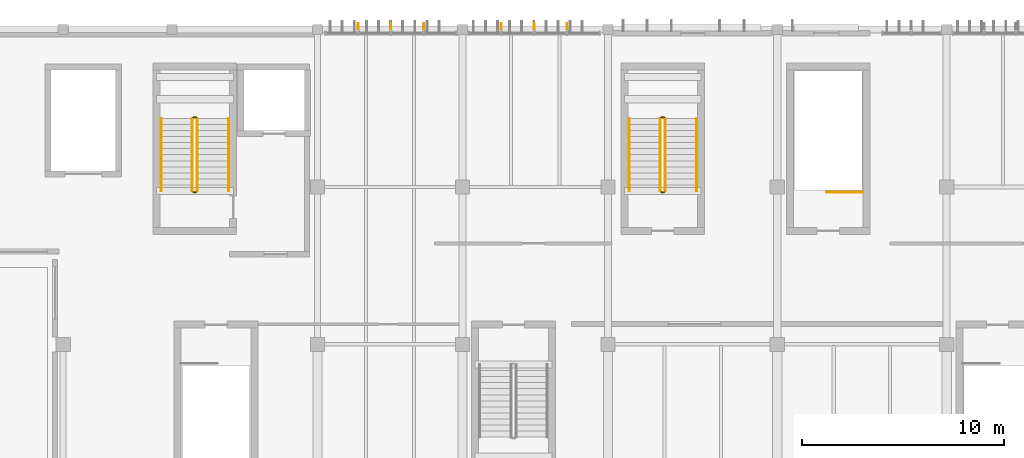
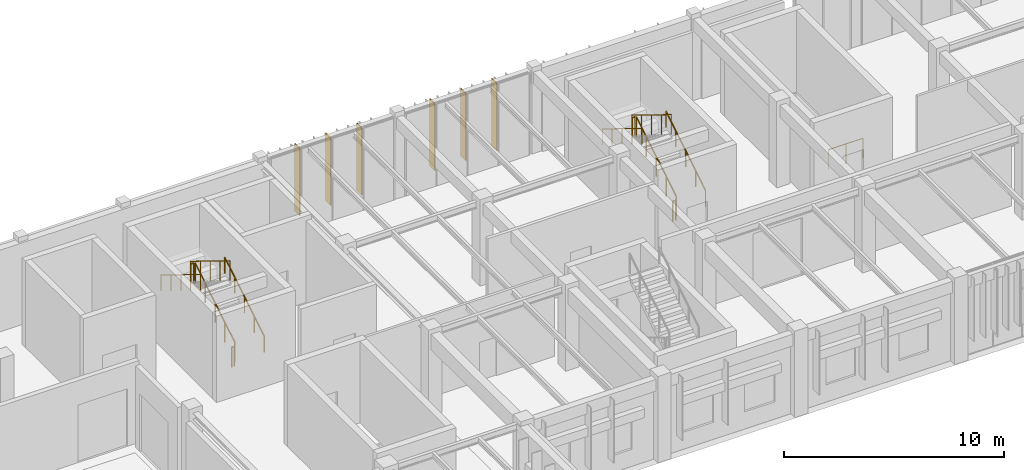
# One storey, part 120 of 122: 13 railings, 6 shading devices.
"""IFC4 building model written with IfcOpenShell, lengths in metres."""

from ifc_helpers import new_model, si_unit, direction, frame, origin, origin_2d, place, context, subcontext, project, spatial, rectangle, circle, extrude, material, layer, layer_set, material_profile, profile_set, type_object, element, save


model = new_model("IFC4")

# Units and contexts
model_context = context("Model", 3, precision=1e-05, world=origin(), true_north=direction((0.0, 1.0)))
body_context = subcontext(model_context, "Body", "Model", "MODEL_VIEW")
ifc_project = project(units=[si_unit("LENGTHUNIT", "METRE"), si_unit("AREAUNIT", "SQUARE_METRE"), si_unit("VOLUMEUNIT", "CUBIC_METRE"), si_unit("PLANEANGLEUNIT", "RADIAN"), si_unit("MASSUNIT", "GRAM", prefix="KILO")], contexts=[model_context])

# Site, building, storey
site_placement = place(None, origin())
site = spatial("IfcSite", under=ifc_project, at=site_placement, CompositionType="ELEMENT")
building_placement = place(site_placement, origin())
building = spatial("IfcBuilding", under=site, at=building_placement, Name="Tazoul Stagehouse", CompositionType="ELEMENT")
storey_placement = place(building_placement, origin())
storey = spatial("IfcBuildingStorey", under=building, at=storey_placement, Name="L00", CompositionType="ELEMENT", Elevation=0.0)

# Shading devices
ifc_material_1 = material(Name="Anodised Bronze Aluminium 6063-T6", Category="aluminium")
ifc_layer_1 = layer(ifc_material_1, 0.050048828125, Name="Anodised Bronze Aluminium 6063-T6")
ifc_layer_set_1 = layer_set([ifc_layer_1], Name="Anodised Bronze Aluminium 6063-T6")
shading_device_type_1 = type_object("IfcShadingDeviceType", Name="Angled Acoustic Sun-Screen Blade 460", PredefinedType="USERDEFINED", material=ifc_layer_set_1)
for number, where, z_axis, x_axis, name in (
    (1, (104.625, 111.89990234375, 0.75), (0.0, 0.0, 1.0), (1.0, 0.0, 0.0), "Shading Louvre FIN-02 CW-V3-N1-L00-B1-SHD01"),
    (2, (107.875, 111.89990234375, 0.75), (0.0, 0.0, 1.0), (1.0, 0.0, 0.0), "Shading Louvre FIN-02 CW-V3-N1-L00-B1-SHD03"),
    (3, (111.72509765625, 111.89990234375, 0.75), (0.0, 0.0, 1.0), (1.0, 0.0, 0.0), "Shading Louvre FIN-02 CW-V3-N1-L00-B2-SHD01"),
    (4, (114.97509765625, 111.89990234375, 0.75), (0.0, 0.0, 1.0), (1.0, 0.0, 0.0), "Shading Louvre FIN-02 CW-V3-N1-L00-B2-SHD03"),
):
    element("IfcShadingDevice", number, at=place(storey_placement, frame(where, z_axis=z_axis, x_axis=x_axis)), inside=storey, type_object=shading_device_type_1, Name=name, ObjectType="FIN", PredefinedType="USERDEFINED", context=body_context, shape_type="SweptSolid", body=[
        extrude(rectangle(XDim=0.044921875, YDim=0.4599609375, at=origin_2d()), origin(), (0.0, 0.0, 1.0), 3.75),
    ])

# Railings
ifc_material_2 = material(Name="Brushed Stainless Steel 316L", Category="steel")
ifc_material_profile_1 = material_profile(ifc_material_2, circle(Radius=0.02392578125, at=origin_2d()), Name="SS RAIL D48")
ifc_profile_set_1 = profile_set([ifc_material_profile_1], Name="Brushed Stainless Steel 316L")
railing_type_1 = type_object("IfcRailingType", Name="Architectural Guardrail H1120", PredefinedType="GUARDRAIL", material=ifc_profile_set_1)
railing_1_placement = place(storey_placement, frame((96.64990234375, 103.800048828125, 0.1845703125)))
element("IfcRailing", 5, at=railing_1_placement, inside=storey, type_object=railing_type_1, Name="L00 ST-01 stair guard 1", PredefinedType="GUARDRAIL", context=body_context, shape_type="SweptSolid", body=[
    extrude(circle(Radius=0.02392578125, at=origin_2d()), frame((0.0, 0.0, 1.09619140625), z_axis=(0.0, 0.851654350407, 0.524103870844), x_axis=(-1.0, 0.0, 0.0)), (0.0, 0.0, 1.0), 4.226806640625),
    extrude(circle(Radius=0.02099609375, at=origin_2d()), origin(), (0.0, 0.0, 1.0), 1.072021484375),
    extrude(circle(Radius=0.02099609375, at=origin_2d()), frame((0.0, 0.89990234375, 0.5537109375)), (0.0, 0.0, 1.0), 1.072021484375),
    extrude(circle(Radius=0.02099609375, at=origin_2d()), frame((0.0, 1.7998046875, 1.107666015625)), (0.0, 0.0, 1.0), 1.072021484375),
    extrude(circle(Radius=0.02099609375, at=origin_2d()), frame((0.0, 2.699951171875, 1.66162109375)), (0.0, 0.0, 1.0), 1.072021484375),
    extrude(circle(Radius=0.02099609375, at=origin_2d()), frame((0.0, 3.599853515625, 2.21533203125)), (0.0, 0.0, 1.0), 1.072021484375),
])
railing_2_placement = place(storey_placement, frame((96.60009765625, 107.449951171875, 2.39990234375)))
element("IfcRailing", 6, at=railing_2_placement, inside=storey, type_object=railing_type_1, Name="L00 ST-01 stair guard 2", PredefinedType="GUARDRAIL", context=body_context, shape_type="SweptSolid", body=[
    extrude(circle(Radius=0.02392578125, at=origin_2d()), frame((0.0, 0.0, 1.09619140625), z_axis=(-1.0, 0.0, 0.0), x_axis=(0.0, -1.0, 0.0)), (0.0, 0.0, 1.0), 0.150146484375),
    extrude(circle(Radius=0.02099609375, at=origin_2d()), origin(), (0.0, 0.0, 1.0), 1.072021484375),
    extrude(circle(Radius=0.02099609375, at=origin_2d()), frame((-0.150146484375, 0.0, 0.0)), (0.0, 0.0, 1.0), 1.072021484375),
])
railing_3_placement = place(storey_placement, frame((96.39990234375, 107.39990234375, 2.584716796875)))
element("IfcRailing", 7, at=railing_3_placement, inside=storey, type_object=railing_type_1, Name="L00 ST-01 stair guard 3", PredefinedType="GUARDRAIL", context=body_context, shape_type="SweptSolid", body=[
    extrude(circle(Radius=0.02392578125, at=origin_2d()), frame((0.0, 0.0, 1.09619140625), z_axis=(0.0, -0.851654350407, 0.524103870844), x_axis=(1.0, 0.0, 0.0)), (0.0, 0.0, 1.0), 4.226806640625),
    extrude(circle(Radius=0.02099609375, at=origin_2d()), origin(), (0.0, 0.0, 1.0), 1.072021484375),
    extrude(circle(Radius=0.02099609375, at=origin_2d()), frame((0.0, -0.89990234375, 0.5537109375)), (0.0, 0.0, 1.0), 1.072021484375),
    extrude(circle(Radius=0.02099609375, at=origin_2d()), frame((0.0, -1.7998046875, 1.107666015625)), (0.0, 0.0, 1.0), 1.072021484375),
    extrude(circle(Radius=0.02099609375, at=origin_2d()), frame((0.0, -2.699951171875, 1.66162109375)), (0.0, 0.0, 1.0), 1.072021484375),
    extrude(circle(Radius=0.02099609375, at=origin_2d()), frame((0.0, -3.599853515625, 2.21533203125)), (0.0, 0.0, 1.0), 1.072021484375),
])
railing_4_placement = place(storey_placement, frame((96.60009765625, 103.75, 0.0)))
element("IfcRailing", 8, at=railing_4_placement, inside=storey, type_object=railing_type_1, Name="L00 ST-01 stair guard 4", PredefinedType="GUARDRAIL", context=body_context, shape_type="SweptSolid", body=[
    extrude(circle(Radius=0.02392578125, at=origin_2d()), frame((0.0, 0.0, 1.09619140625), z_axis=(-1.0, 0.0, 0.0), x_axis=(0.0, -1.0, 0.0)), (0.0, 0.0, 1.0), 0.150146484375),
    extrude(circle(Radius=0.02099609375, at=origin_2d()), origin(), (0.0, 0.0, 1.0), 1.072021484375),
    extrude(circle(Radius=0.02099609375, at=origin_2d()), frame((-0.150146484375, 0.0, 0.0)), (0.0, 0.0, 1.0), 1.072021484375),
])
railing_5_placement = place(storey_placement, frame((119.85009765625, 103.800048828125, 0.1845703125)))
element("IfcRailing", 9, at=railing_5_placement, inside=storey, type_object=railing_type_1, Name="L00 ST-02 stair guard 1", PredefinedType="GUARDRAIL", context=body_context, shape_type="SweptSolid", body=[
    extrude(circle(Radius=0.02392578125, at=origin_2d()), frame((0.0, 0.0, 1.09619140625), z_axis=(0.0, 0.851654350407, 0.524103870844), x_axis=(-1.0, 0.0, 0.0)), (0.0, 0.0, 1.0), 4.226806640625),
    extrude(circle(Radius=0.02099609375, at=origin_2d()), origin(), (0.0, 0.0, 1.0), 1.072021484375),
    extrude(circle(Radius=0.02099609375, at=origin_2d()), frame((0.0, 0.89990234375, 0.5537109375)), (0.0, 0.0, 1.0), 1.072021484375),
    extrude(circle(Radius=0.02099609375, at=origin_2d()), frame((0.0, 1.7998046875, 1.107666015625)), (0.0, 0.0, 1.0), 1.072021484375),
    extrude(circle(Radius=0.02099609375, at=origin_2d()), frame((0.0, 2.699951171875, 1.66162109375)), (0.0, 0.0, 1.0), 1.072021484375),
    extrude(circle(Radius=0.02099609375, at=origin_2d()), frame((0.0, 3.599853515625, 2.21533203125)), (0.0, 0.0, 1.0), 1.072021484375),
])
railing_6_placement = place(storey_placement, frame((119.800048828125, 107.449951171875, 2.39990234375)))
element("IfcRailing", 10, at=railing_6_placement, inside=storey, type_object=railing_type_1, Name="L00 ST-02 stair guard 2", PredefinedType="GUARDRAIL", context=body_context, shape_type="SweptSolid", body=[
    extrude(circle(Radius=0.02392578125, at=origin_2d()), frame((0.0, 0.0, 1.09619140625), z_axis=(-1.0, 0.0, 0.0), x_axis=(0.0, -1.0, 0.0)), (0.0, 0.0, 1.0), 0.150146484375),
    extrude(circle(Radius=0.02099609375, at=origin_2d()), origin(), (0.0, 0.0, 1.0), 1.072021484375),
    extrude(circle(Radius=0.02099609375, at=origin_2d()), frame((-0.150146484375, 0.0, 0.0)), (0.0, 0.0, 1.0), 1.072021484375),
])
railing_7_placement = place(storey_placement, frame((119.60009765625, 107.39990234375, 2.584716796875)))
element("IfcRailing", 11, at=railing_7_placement, inside=storey, type_object=railing_type_1, Name="L00 ST-02 stair guard 3", PredefinedType="GUARDRAIL", context=body_context, shape_type="SweptSolid", body=[
    extrude(circle(Radius=0.02392578125, at=origin_2d()), frame((0.0, 0.0, 1.09619140625), z_axis=(0.0, -0.851654350407, 0.524103870844), x_axis=(1.0, 0.0, 0.0)), (0.0, 0.0, 1.0), 4.226806640625),
    extrude(circle(Radius=0.02099609375, at=origin_2d()), origin(), (0.0, 0.0, 1.0), 1.072021484375),
    extrude(circle(Radius=0.02099609375, at=origin_2d()), frame((0.0, -0.89990234375, 0.5537109375)), (0.0, 0.0, 1.0), 1.072021484375),
    extrude(circle(Radius=0.02099609375, at=origin_2d()), frame((0.0, -1.7998046875, 1.107666015625)), (0.0, 0.0, 1.0), 1.072021484375),
    extrude(circle(Radius=0.02099609375, at=origin_2d()), frame((0.0, -2.699951171875, 1.66162109375)), (0.0, 0.0, 1.0), 1.072021484375),
    extrude(circle(Radius=0.02099609375, at=origin_2d()), frame((0.0, -3.599853515625, 2.21533203125)), (0.0, 0.0, 1.0), 1.072021484375),
])
railing_8_placement = place(storey_placement, frame((119.800048828125, 103.75, 0.0)))
element("IfcRailing", 12, at=railing_8_placement, inside=storey, type_object=railing_type_1, Name="L00 ST-02 stair guard 4", PredefinedType="GUARDRAIL", context=body_context, shape_type="SweptSolid", body=[
    extrude(circle(Radius=0.02392578125, at=origin_2d()), frame((0.0, 0.0, 1.09619140625), z_axis=(-1.0, 0.0, 0.0), x_axis=(0.0, -1.0, 0.0)), (0.0, 0.0, 1.0), 0.150146484375),
    extrude(circle(Radius=0.02099609375, at=origin_2d()), origin(), (0.0, 0.0, 1.0), 1.072021484375),
    extrude(circle(Radius=0.02099609375, at=origin_2d()), frame((-0.150146484375, 0.0, 0.0)), (0.0, 0.0, 1.0), 1.072021484375),
])
railing_9_placement = place(storey_placement, frame((129.64990234375, 103.75, 0.0)))
element("IfcRailing", 13, at=railing_9_placement, inside=storey, type_object=railing_type_1, Name="L00 ST-B2 top well guard 1", PredefinedType="GUARDRAIL", context=body_context, shape_type="SweptSolid", body=[
    extrude(circle(Radius=0.02392578125, at=origin_2d()), frame((0.0, 0.0, 1.09619140625), z_axis=(-1.0, 0.0, 0.0), x_axis=(0.0, -1.0, 0.0)), (0.0, 0.0, 1.0), 1.7998046875),
    extrude(circle(Radius=0.02099609375, at=origin_2d()), origin(), (0.0, 0.0, 1.0), 1.072021484375),
    extrude(circle(Radius=0.02099609375, at=origin_2d()), frame((-0.89990234375, 0.0, 0.0)), (0.0, 0.0, 1.0), 1.072021484375),
    extrude(circle(Radius=0.02099609375, at=origin_2d()), frame((-1.7998046875, 0.0, 0.0)), (0.0, 0.0, 1.0), 1.072021484375),
])
ifc_material_profile_2 = material_profile(ifc_material_2, circle(Radius=0.02099609375, at=origin_2d()), Name="SS HANDRAIL D42")
ifc_profile_set_2 = profile_set([ifc_material_profile_2], Name="Brushed Stainless Steel 316L")
railing_type_2 = type_object("IfcRailingType", Name="Continuous Stair Handrail H900", PredefinedType="HANDRAIL", material=ifc_profile_set_2)
railing_10_placement = place(storey_placement, frame((98.199951171875, 103.800048828125, 0.1845703125)))
element("IfcRailing", 14, at=railing_10_placement, inside=storey, type_object=railing_type_2, Name="L00 ST-01 stair handrail 1", PredefinedType="HANDRAIL", context=body_context, shape_type="SweptSolid", body=[
    extrude(circle(Radius=0.02392578125, at=origin_2d()), frame((0.0, 0.0, 0.8759765625), z_axis=(0.0, 0.851654350407, 0.524103870844), x_axis=(-1.0, 0.0, 0.0)), (0.0, 0.0, 1.0), 4.226806640625),
    extrude(circle(Radius=0.02099609375, at=origin_2d()), origin(), (0.0, 0.0, 1.0), 0.851806640625),
    extrude(circle(Radius=0.02099609375, at=origin_2d()), frame((0.0, 0.89990234375, 0.5537109375)), (0.0, 0.0, 1.0), 0.851806640625),
    extrude(circle(Radius=0.02099609375, at=origin_2d()), frame((0.0, 1.7998046875, 1.107666015625)), (0.0, 0.0, 1.0), 0.851806640625),
    extrude(circle(Radius=0.02099609375, at=origin_2d()), frame((0.0, 2.699951171875, 1.66162109375)), (0.0, 0.0, 1.0), 0.851806640625),
    extrude(circle(Radius=0.02099609375, at=origin_2d()), frame((0.0, 3.599853515625, 2.21533203125)), (0.0, 0.0, 1.0), 0.851806640625),
])
railing_11_placement = place(storey_placement, frame((94.85009765625, 107.39990234375, 2.584716796875)))
element("IfcRailing", 15, at=railing_11_placement, inside=storey, type_object=railing_type_2, Name="L00 ST-01 stair handrail 2", PredefinedType="HANDRAIL", context=body_context, shape_type="SweptSolid", body=[
    extrude(circle(Radius=0.02392578125, at=origin_2d()), frame((0.0, 0.0, 0.8759765625), z_axis=(0.0, -0.851654350407, 0.524103870844), x_axis=(1.0, 0.0, 0.0)), (0.0, 0.0, 1.0), 4.226806640625),
    extrude(circle(Radius=0.02099609375, at=origin_2d()), origin(), (0.0, 0.0, 1.0), 0.851806640625),
    extrude(circle(Radius=0.02099609375, at=origin_2d()), frame((0.0, -0.89990234375, 0.5537109375)), (0.0, 0.0, 1.0), 0.851806640625),
    extrude(circle(Radius=0.02099609375, at=origin_2d()), frame((0.0, -1.7998046875, 1.107666015625)), (0.0, 0.0, 1.0), 0.851806640625),
    extrude(circle(Radius=0.02099609375, at=origin_2d()), frame((0.0, -2.699951171875, 1.66162109375)), (0.0, 0.0, 1.0), 0.851806640625),
    extrude(circle(Radius=0.02099609375, at=origin_2d()), frame((0.0, -3.599853515625, 2.21533203125)), (0.0, 0.0, 1.0), 0.851806640625),
])
railing_12_placement = place(storey_placement, frame((121.39990234375, 103.800048828125, 0.1845703125)))
element("IfcRailing", 16, at=railing_12_placement, inside=storey, type_object=railing_type_2, Name="L00 ST-02 stair handrail 1", PredefinedType="HANDRAIL", context=body_context, shape_type="SweptSolid", body=[
    extrude(circle(Radius=0.02392578125, at=origin_2d()), frame((0.0, 0.0, 0.8759765625), z_axis=(0.0, 0.851654350407, 0.524103870844), x_axis=(-1.0, 0.0, 0.0)), (0.0, 0.0, 1.0), 4.226806640625),
    extrude(circle(Radius=0.02099609375, at=origin_2d()), origin(), (0.0, 0.0, 1.0), 0.851806640625),
    extrude(circle(Radius=0.02099609375, at=origin_2d()), frame((0.0, 0.89990234375, 0.5537109375)), (0.0, 0.0, 1.0), 0.851806640625),
    extrude(circle(Radius=0.02099609375, at=origin_2d()), frame((0.0, 1.7998046875, 1.107666015625)), (0.0, 0.0, 1.0), 0.851806640625),
    extrude(circle(Radius=0.02099609375, at=origin_2d()), frame((0.0, 2.699951171875, 1.66162109375)), (0.0, 0.0, 1.0), 0.851806640625),
    extrude(circle(Radius=0.02099609375, at=origin_2d()), frame((0.0, 3.599853515625, 2.21533203125)), (0.0, 0.0, 1.0), 0.851806640625),
])
railing_13_placement = place(storey_placement, frame((118.050048828125, 107.39990234375, 2.584716796875)))
element("IfcRailing", 17, at=railing_13_placement, inside=storey, type_object=railing_type_2, Name="L00 ST-02 stair handrail 2", PredefinedType="HANDRAIL", context=body_context, shape_type="SweptSolid", body=[
    extrude(circle(Radius=0.02392578125, at=origin_2d()), frame((0.0, 0.0, 0.8759765625), z_axis=(0.0, -0.851654350407, 0.524103870844), x_axis=(1.0, 0.0, 0.0)), (0.0, 0.0, 1.0), 4.226806640625),
    extrude(circle(Radius=0.02099609375, at=origin_2d()), origin(), (0.0, 0.0, 1.0), 0.851806640625),
    extrude(circle(Radius=0.02099609375, at=origin_2d()), frame((0.0, -0.89990234375, 0.5537109375)), (0.0, 0.0, 1.0), 0.851806640625),
    extrude(circle(Radius=0.02099609375, at=origin_2d()), frame((0.0, -1.7998046875, 1.107666015625)), (0.0, 0.0, 1.0), 0.851806640625),
    extrude(circle(Radius=0.02099609375, at=origin_2d()), frame((0.0, -2.699951171875, 1.66162109375)), (0.0, 0.0, 1.0), 0.851806640625),
    extrude(circle(Radius=0.02099609375, at=origin_2d()), frame((0.0, -3.599853515625, 2.21533203125)), (0.0, 0.0, 1.0), 0.851806640625),
])

# Shading devices
ifc_layer_2 = layer(ifc_material_1, 0.044921875, Name="Anodised Bronze Aluminium 6063-T6")
ifc_layer_set_2 = layer_set([ifc_layer_2], Name="Anodised Bronze Aluminium 6063-T6")
shading_device_type_2 = type_object("IfcShadingDeviceType", Name="Vertical Extruded Terracotta-Bronze Louvre 460", PredefinedType="JALOUSIE", material=ifc_layer_set_2)
for number, where, z_axis, x_axis, name in (
    (18, (106.25, 111.89990234375, 0.75), (0.0, 0.0, 1.0), (1.0, 0.0, 0.0), "Shading Louvre FIN-01 CW-V3-N1-L00-B1-SHD02"),
    (19, (113.35009765625, 111.89990234375, 0.75), (0.0, 0.0, 1.0), (1.0, 0.0, 0.0), "Shading Louvre FIN-01 CW-V3-N1-L00-B2-SHD02"),
):
    element("IfcShadingDevice", number, at=place(storey_placement, frame(where, z_axis=z_axis, x_axis=x_axis)), inside=storey, type_object=shading_device_type_2, Name=name, PredefinedType="JALOUSIE", context=body_context, shape_type="SweptSolid", body=[
        extrude(rectangle(XDim=0.044921875, YDim=0.4599609375, at=origin_2d()), origin(), (0.0, 0.0, 1.0), 3.75),
    ])

save(model, "model.ifc")
